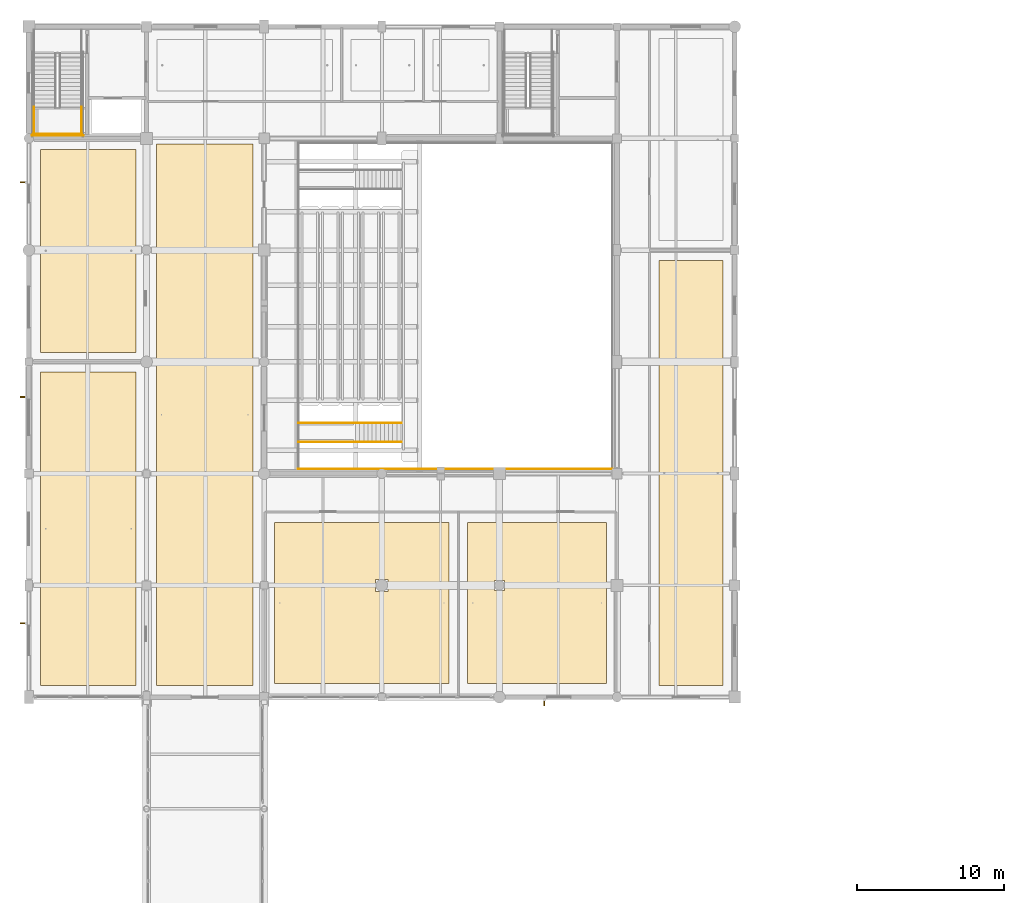
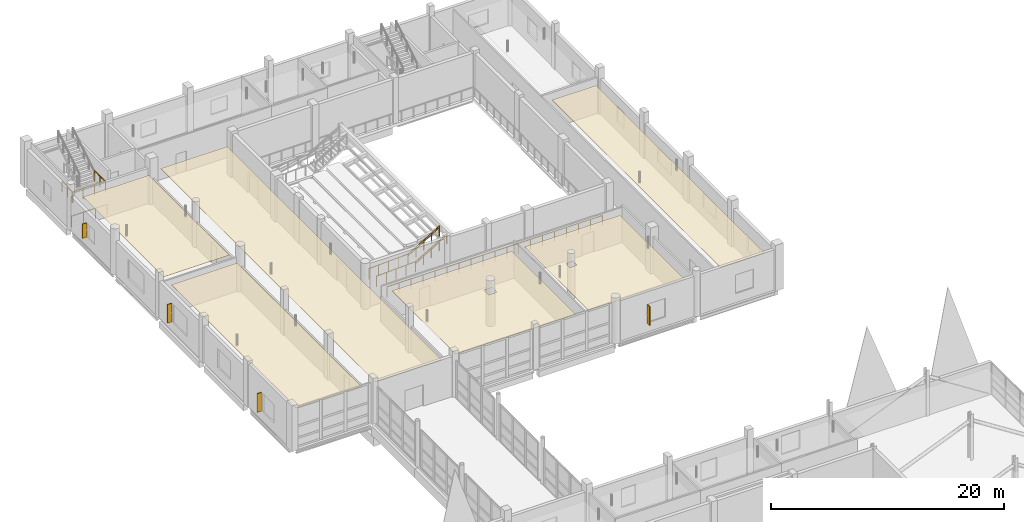
# One storey, part 137 of 147: 9 railings, 6 coverings, 4 shading devices.
"""IFC4 building model written with IfcOpenShell, lengths in metres."""

import ifcopenshell
import ifcopenshell.guid

model = None  # the IFC model being written
_history = None  # IfcOwnerHistory: only IFC2X3 demands one
_inside = {}  # id of a spatial element -> (the spatial element, [elements in it])
_under = {}  # id of a project, library or spatial element -> (it, [spatial elements below it])
_declared = {}  # id of a project -> (the project, [libraries it declares])
_typed = {}  # id of a type object -> (the type object, [elements of that type])
_made_of = {}  # id of a material, layer set ... -> (it, [elements and type objects made of it])


def new_model(schema):
    """Start an empty IFC model of exactly this schema.

    Asked for "IFC4X3", IfcOpenShell would pick the latest addendum, in which some entities
    have other attributes; the version numbers below select the first issue.
    IFC2X3 requires an IfcOwnerHistory on every rooted entity: one is made here for all.
    """
    global model, _history
    if schema == "IFC4X3":
        model = ifcopenshell.file(schema_version=(4, 3, 0, 0))
    else:
        model = ifcopenshell.file(schema=schema)
    _inside.clear()
    _under.clear()
    _declared.clear()
    _typed.clear()
    _made_of.clear()
    _history = None
    if model.schema == "IFC2X3":
        org = make("IfcOrganization", Name="unknown")
        user = make(
            "IfcPersonAndOrganization",
            ThePerson=make("IfcPerson", FamilyName="unknown"),
            TheOrganization=org,
        )
        app = make(
            "IfcApplication",
            ApplicationDeveloper=org,
            Version="unknown",
            ApplicationFullName="unknown",
            ApplicationIdentifier="unknown",
        )
        _history = make(
            "IfcOwnerHistory",
            OwningUser=user,
            OwningApplication=app,
            ChangeAction="ADDED",
            CreationDate=0,
        )
    return model


def make(cls, **values):
    """One entity of the class cls with the attributes given. An attribute that is None is left unset."""
    return model.create_entity(
        cls, **{name: value for name, value in values.items() if value is not None}
    )


def rooted(cls, **values):
    """An entity with a GlobalId (a new one), such as an element, a storey or a relation."""
    return make(cls, GlobalId=ifcopenshell.guid.new(), OwnerHistory=_history, **values)


def si_unit(unit_type, name, prefix=None):
    """IfcSIUnit, for example si_unit("LENGTHUNIT", "METRE", prefix="MILLI")."""
    return make("IfcSIUnit", UnitType=unit_type, Prefix=prefix, Name=name)


def assignment(units):
    """IfcUnitAssignment: the units of a project."""
    return None if units is None else make("IfcUnitAssignment", Units=units)


def point(xyz):
    """IfcCartesianPoint."""
    return None if xyz is None else make("IfcCartesianPoint", Coordinates=xyz)


def direction(xyz):
    """IfcDirection."""
    return None if xyz is None else make("IfcDirection", DirectionRatios=xyz)


def frame(location, z_axis=None, x_axis=None):
    """IfcAxis2Placement3D, a coordinate frame: its origin and axes. An axis left out is left unset."""
    return make(
        "IfcAxis2Placement3D",
        Location=point(location),
        Axis=direction(z_axis),
        RefDirection=direction(x_axis),
    )


def frame_2d(location, x_axis=None):
    """IfcAxis2Placement2D, a coordinate frame in the plane: its origin and x axis."""
    return make(
        "IfcAxis2Placement2D", Location=point(location), RefDirection=direction(x_axis)
    )


def origin():
    """The frame at (0, 0, 0) with its axes left unset."""
    return frame((0.0, 0.0, 0.0))


def origin_2d():
    """The frame at (0, 0) in the plane with its x axis left unset."""
    return frame_2d((0.0, 0.0))


def place(relative_to, where):
    """IfcLocalPlacement: puts the frame where relative to a parent placement (None: the world)."""
    return make(
        "IfcLocalPlacement", PlacementRelTo=relative_to, RelativePlacement=where
    )


def context(
    kind, dimensions, precision=None, world=None, true_north=None, identifier=None
):
    """IfcGeometricRepresentationContext, for example the 3D "Model" context."""
    return make(
        "IfcGeometricRepresentationContext",
        ContextIdentifier=identifier,
        ContextType=kind,
        CoordinateSpaceDimension=dimensions,
        Precision=precision,
        WorldCoordinateSystem=world,
        TrueNorth=true_north,
    )


def subcontext(parent, identifier, kind, view, scale=None):
    """IfcGeometricRepresentationSubContext, for example "Body" below "Model"."""
    return make(
        "IfcGeometricRepresentationSubContext",
        ContextIdentifier=identifier,
        ContextType=kind,
        ParentContext=parent,
        TargetScale=scale,
        TargetView=view,
    )


def project(units=None, contexts=None):
    """IfcProject with its units and contexts."""
    return rooted(
        "IfcProject",
        Name="project",
        RepresentationContexts=contexts,
        UnitsInContext=assignment(units),
    )


def spatial(cls, under=None, at=None, **own):
    """A site, building, storey or space (cls), placed at a placement, below another one or the project."""
    s = rooted(cls, ObjectPlacement=at, **own)
    if under is not None:
        _under.setdefault(under.id(), (under, []))[1].append(s)
    return s


def polyline(points):
    """IfcPolyline through the points."""
    return make("IfcPolyline", Points=[point(p) for p in points])


def profile(cls, at=None, kind="AREA", **sizes):
    """A parametric profile (cls). Its sizes go by their IFC names, for example OverallWidth=200.0."""
    return make(cls, ProfileType=kind, Position=at, **sizes)


def rectangle(**sizes):
    """IfcRectangleProfileDef."""
    return profile("IfcRectangleProfileDef", **sizes)


def circle(**sizes):
    """IfcCircleProfileDef."""
    return profile("IfcCircleProfileDef", **sizes)


def outline(outer, holes=None, kind="AREA"):
    """IfcArbitraryClosedProfileDef: a profile drawn as a closed curve; with holes, ...WithVoids."""
    if holes is None:
        return make("IfcArbitraryClosedProfileDef", ProfileType=kind, OuterCurve=outer)
    return make(
        "IfcArbitraryProfileDefWithVoids",
        ProfileType=kind,
        OuterCurve=outer,
        InnerCurves=holes,
    )


def extrude(swept, where, along, depth):
    """IfcExtrudedAreaSolid: the profile swept, set in the frame where, extruded along a direction by depth."""
    return make(
        "IfcExtrudedAreaSolid",
        SweptArea=swept,
        Position=where,
        ExtrudedDirection=direction(along),
        Depth=depth,
    )


def shape(context_of_items, identifier, shape_type, items):
    """IfcShapeRepresentation: the items that make up one representation, for example the "Body"."""
    return make(
        "IfcShapeRepresentation",
        ContextOfItems=context_of_items,
        RepresentationIdentifier=identifier,
        RepresentationType=shape_type,
        Items=items,
    )


def material(Name=None, Category=None):
    """IfcMaterial."""
    return make("IfcMaterial", Name=Name, Category=Category)


def layer(
    of_material, thickness, ventilated=None, Name=None, Category=None, Priority=None
):
    """IfcMaterialLayer: one layer of a wall or slab, of a material (None: an air gap)."""
    return make(
        "IfcMaterialLayer",
        Material=of_material,
        LayerThickness=thickness,
        IsVentilated=ventilated,
        Name=Name,
        Category=Category,
        Priority=Priority,
    )


def layer_set(layers, Name=None):
    """IfcMaterialLayerSet."""
    return make("IfcMaterialLayerSet", MaterialLayers=layers, LayerSetName=Name)


def made_of(thing, what):
    """Note that an element or type object is made of a material, layer set ...; save() writes the relation."""
    if what is not None:
        _made_of.setdefault(what.id(), (what, []))[1].append(thing)
    return thing


def type_object(cls, material=None, **own):
    """A type object (cls), such as IfcWallType, which elements share."""
    return made_of(rooted(cls, **own), material)


def element(
    cls,
    number,
    at=None,
    inside=None,
    cuts=None,
    type_object=None,
    material=None,
    context=None,
    identifier="Body",
    shape_type=None,
    held_by="IfcProductDefinitionShape",
    body=None,
    shapes=None,
    **own,
):
    """One element of the class cls, such as IfcWall. Its Tag is "e" and its number.

    at: its placement. inside: the storey or other place that contains it. cuts: it is an
    opening in that element (IfcRelVoidsElement). A single representation is given by context,
    identifier, shape_type and body (its items); several are given by shapes. held_by: the class
    of the entity that holds the representations. save() writes the other relations.
    """
    e = rooted(cls, Tag="e%d" % number, ObjectPlacement=at, **own)
    if body is not None:
        shapes = [shape(context, identifier, shape_type, body)]
    if shapes is not None:
        e.Representation = make(held_by, Representations=shapes)
    if inside is not None:
        _inside.setdefault(inside.id(), (inside, []))[1].append(e)
    if cuts is not None:
        rooted(
            "IfcRelVoidsElement", RelatingBuildingElement=cuts, RelatedOpeningElement=e
        )
    if type_object is not None:
        _typed.setdefault(type_object.id(), (type_object, []))[1].append(e)
    return made_of(e, material)


def aggregate(whole, parts):
    """IfcRelAggregates: a whole, such as a stair, and the parts it consists of."""
    return rooted("IfcRelAggregates", RelatingObject=whole, RelatedObjects=parts)


def save(model, path):
    """Write the relations noted so far, then the file.

    IfcRelAggregates (storeys below a building ...), IfcRelContainedInSpatialStructure (elements
    in a storey), IfcRelDefinesByType, IfcRelAssociatesMaterial and IfcRelDeclares: one each for
    every whole, place, type object, material and project.
    """
    for whole, parts in _under.values():
        aggregate(whole, parts)
    for where, things in _inside.values():
        rooted(
            "IfcRelContainedInSpatialStructure",
            RelatedElements=things,
            RelatingStructure=where,
        )
    for kind, things in _typed.values():
        rooted("IfcRelDefinesByType", RelatedObjects=things, RelatingType=kind)
    for what, things in _made_of.values():
        rooted("IfcRelAssociatesMaterial", RelatedObjects=things, RelatingMaterial=what)
    for by, libraries in _declared.values():
        rooted("IfcRelDeclares", RelatingContext=by, RelatedDefinitions=libraries)
    model.write(path)


model = new_model("IFC4")

# Units and contexts
model_context = context("Model", 3, precision=1e-05, world=origin(), true_north=direction((0.0, 1.0)))
body_context = subcontext(model_context, "Body", "Model", "MODEL_VIEW")
ifc_project = project(units=[si_unit("LENGTHUNIT", "METRE"), si_unit("AREAUNIT", "SQUARE_METRE"), si_unit("VOLUMEUNIT", "CUBIC_METRE"), si_unit("PLANEANGLEUNIT", "RADIAN"), si_unit("MASSUNIT", "GRAM", prefix="KILO")], contexts=[model_context])

# Site, building, storey
site_placement = place(None, origin())
site = spatial("IfcSite", under=ifc_project, at=site_placement, CompositionType="ELEMENT")
building_placement = place(site_placement, origin())
building = spatial("IfcBuilding", under=site, at=building_placement, Name="Khelvaren Railside Concert Hall", CompositionType="ELEMENT")
storey_placement = place(building_placement, frame((0.0, 0.0, 5.39990234375)))
storey = spatial("IfcBuildingStorey", under=building, at=storey_placement, Name="L01", CompositionType="ELEMENT", Elevation=5.39990234375)

# Coverings
ifc_material_1 = material(Name="Mineral-wool acoustic baffle ceiling", Category="gypsum")
ifc_layer_1 = layer(ifc_material_1, 0.0400390625)
ifc_layer_set_1 = layer_set([ifc_layer_1], Name="Mineral-wool acoustic baffle ceiling")
covering_type_1 = type_object("IfcCoveringType", Name="CLG20", PredefinedType="CEILING", material=ifc_layer_set_1)
covering_1_placement = place(storey_placement, frame((0.0, 0.0, 3.41015625)))
element("IfcCovering", 1, at=covering_1_placement, inside=storey, type_object=covering_type_1, Name="Suspended Acoustic Ceiling Chamber Pavilion L01 West Foyer", PredefinedType="CEILING", context=body_context, shape_type="SweptSolid", body=[
    extrude(outline(polyline([(8.669921875, 69.199951171875), (15.25, 69.199951171875), (15.25, 106.0), (8.669921875, 106.0), (8.669921875, 69.199951171875)])), origin(), (0.0, 0.0, 1.0), 0.0400390625),
])
covering_2_placement = place(storey_placement, frame((0.0, 0.0, 3.41015625)))
element("IfcCovering", 2, at=covering_2_placement, inside=storey, type_object=covering_type_1, Name="Suspended Acoustic Ceiling String Quartet Practice Room L01", PredefinedType="CEILING", context=body_context, shape_type="SweptSolid", body=[
    extrude(outline(polyline([(0.800048828125, 69.199951171875), (7.300048828125, 69.199951171875), (7.300048828125, 90.5), (0.800048828125, 90.5), (0.800048828125, 69.199951171875)])), origin(), (0.0, 0.0, 1.0), 0.0400390625),
])
covering_3_placement = place(storey_placement, frame((0.0, 0.0, 3.41015625)))
element("IfcCovering", 3, at=covering_3_placement, inside=storey, type_object=covering_type_1, Name="Suspended Acoustic Ceiling Harpsichord and Fortepiano Room L01", PredefinedType="CEILING", context=body_context, shape_type="SweptSolid", body=[
    extrude(outline(polyline([(42.85009765625, 69.199951171875), (47.199951171875, 69.199951171875), (47.199951171875, 98.10009765625), (42.85009765625, 98.10009765625), (42.85009765625, 69.199951171875)])), origin(), (0.0, 0.0, 1.0), 0.0400390625),
])
covering_4_placement = place(storey_placement, frame((0.0, 0.0, 3.41015625)))
element("IfcCovering", 4, at=covering_4_placement, inside=storey, type_object=covering_type_1, Name="Suspended Acoustic Ceiling Chamber Circle Overlook Salon", PredefinedType="CEILING", context=body_context, shape_type="SweptSolid", body=[
    extrude(outline(polyline([(16.7099609375, 69.330078125), (28.58203125, 69.330078125), (28.58203125, 80.27001953125), (16.7099609375, 80.27001953125), (16.7099609375, 69.330078125)]), holes=[polyline([(23.5849609375, 75.5849609375), (24.4150390625, 75.5849609375), (24.4150390625, 76.4150390625), (23.5849609375, 76.4150390625), (23.5849609375, 75.5849609375)])]), origin(), (0.0, 0.0, 1.0), 0.0400390625),
])
ifc_material_2 = material(Name="Micro-perforated timber acoustic ceiling", Category="wood")
ifc_layer_2 = layer(ifc_material_2, 0.030029296875)
ifc_layer_set_2 = layer_set([ifc_layer_2], Name="Micro-perforated timber acoustic ceiling")
covering_type_2 = type_object("IfcCoveringType", Name="CLG77", PredefinedType="CEILING", material=ifc_layer_set_2)
covering_5_placement = place(storey_placement, frame((0.0, 0.0, 3.420166015625)))
element("IfcCovering", 5, at=covering_5_placement, inside=storey, type_object=covering_type_2, Name="Suspended Acoustic Ceiling Lute and Viol Tuning Studio L01", PredefinedType="CEILING", context=body_context, shape_type="SweptSolid", body=[
    extrude(outline(polyline([(0.800048828125, 91.85009765625), (7.300048828125, 91.85009765625), (7.300048828125, 105.64990234375), (0.800048828125, 105.64990234375), (0.800048828125, 91.85009765625)])), origin(), (0.0, 0.0, 1.0), 0.030029296875),
])
covering_6_placement = place(storey_placement, frame((0.0, 0.0, 3.420166015625)))
element("IfcCovering", 6, at=covering_6_placement, inside=storey, type_object=covering_type_2, Name="Suspended Acoustic Ceiling Contemporary Music Listening Room", PredefinedType="CEILING", context=body_context, shape_type="SweptSolid", body=[
    extrude(outline(polyline([(29.842041015625, 69.330078125), (39.2900390625, 69.330078125), (39.2900390625, 80.27001953125), (29.842041015625, 80.27001953125), (29.842041015625, 69.330078125)]), holes=[polyline([(31.659912109375, 75.659912109375), (32.340087890625, 75.659912109375), (32.340087890625, 76.340087890625), (31.659912109375, 76.340087890625), (31.659912109375, 75.659912109375)])]), origin(), (0.0, 0.0, 1.0), 0.030029296875),
])

# Railings
ifc_material_3 = material(Name="Painted architectural steel", Category="steel")
railing_type_1 = type_object("IfcRailingType", Name="GRD86", PredefinedType="GUARDRAIL", material=ifc_material_3)
for number, where, name in (
    (7, (0.35009765625, 108.52001953125, 2.400146484375), "L01 ST-07 stair guard 3"),
    (8, (3.570068359375, 108.52001953125, 2.400146484375), "L01 ST-07 stair guard 4"),
):
    element("IfcRailing", number, at=place(storey_placement, frame(where)), inside=storey, type_object=railing_type_1, Name=name, PredefinedType="GUARDRAIL", context=body_context, shape_type="SweptSolid", body=[
        extrude(circle(Radius=0.02392578125, at=origin_2d()), frame((0.0, 0.0, 1.076171875), z_axis=(0.0, -1.0, 0.0), x_axis=(1.0, 0.0, 0.0)), (0.0, 0.0, 1.0), 1.880126953125),
        extrude(circle(Radius=0.02099609375, at=origin_2d()), origin(), (0.0, 0.0, 1.0), 1.052001953125),
        extrude(circle(Radius=0.02099609375, at=origin_2d()), frame((0.0, -0.93994140625, 0.0)), (0.0, 0.0, 1.0), 1.052001953125),
        extrude(circle(Radius=0.02099609375, at=origin_2d()), frame((0.0, -1.880126953125, 0.0)), (0.0, 0.0, 1.0), 1.052001953125),
    ])
railing_1_placement = place(storey_placement, frame((0.300048828125, 106.68994140625, 2.400146484375)))
element("IfcRailing", 9, at=railing_1_placement, inside=storey, type_object=railing_type_1, Name="L01 ST-07 stair guard 5", PredefinedType="GUARDRAIL", context=body_context, shape_type="SweptSolid", body=[
    extrude(circle(Radius=0.02392578125, at=origin_2d()), frame((0.0, 0.0, 1.076171875), z_axis=(1.0, 0.0, 0.0), x_axis=(0.0, 1.0, 0.0)), (0.0, 0.0, 1.0), 3.320068359375),
    extrude(circle(Radius=0.02099609375, at=origin_2d()), origin(), (0.0, 0.0, 1.0), 1.052001953125),
    extrude(circle(Radius=0.02099609375, at=origin_2d()), frame((1.106689453125, 0.0, 0.0)), (0.0, 0.0, 1.0), 1.052001953125),
    extrude(circle(Radius=0.02099609375, at=origin_2d()), frame((2.21337890625, 0.0, 0.0)), (0.0, 0.0, 1.0), 1.052001953125),
    extrude(circle(Radius=0.02099609375, at=origin_2d()), frame((3.320068359375, 0.0, 0.0)), (0.0, 0.0, 1.0), 1.052001953125),
])
railing_2_placement = place(storey_placement, frame((0.199951171875, 106.590087890625, 0.0)))
element("IfcRailing", 10, at=railing_2_placement, inside=storey, type_object=railing_type_1, Name="L01 ST-07 stair guard 12", PredefinedType="GUARDRAIL", context=body_context, shape_type="SweptSolid", body=[
    extrude(circle(Radius=0.02392578125, at=origin_2d()), frame((0.0, 0.0, 1.076171875), z_axis=(1.0, 0.0, 0.0), x_axis=(0.0, 1.0, 0.0)), (0.0, 0.0, 1.0), 3.52001953125),
    extrude(circle(Radius=0.02099609375, at=origin_2d()), origin(), (0.0, 0.0, 1.0), 1.052001953125),
    extrude(circle(Radius=0.02099609375, at=origin_2d()), frame((1.17333984375, 0.0, 0.0)), (0.0, 0.0, 1.0), 1.052001953125),
    extrude(circle(Radius=0.02099609375, at=origin_2d()), frame((2.3466796875, 0.0, 0.0)), (0.0, 0.0, 1.0), 1.052001953125),
    extrude(circle(Radius=0.02099609375, at=origin_2d()), frame((3.52001953125, 0.0, 0.0)), (0.0, 0.0, 1.0), 1.052001953125),
])
for number, where, name in (
    (11, (18.35009765625, 85.75, 0.0), "Vomitory Guardrail ST-25-L"),
    (12, (18.35009765625, 87.050048828125, 0.0), "Vomitory Guardrail ST-25-R"),
):
    element("IfcRailing", number, at=place(storey_placement, frame(where)), inside=storey, type_object=railing_type_1, Name=name, PredefinedType="GUARDRAIL", context=body_context, shape_type="SweptSolid", body=[
        extrude(circle(Radius=0.02392578125, at=origin_2d()), frame((0.0, 0.0, 1.076171875), z_axis=(0.99903463179, 0.0, 0.043929539989), x_axis=(0.0, 1.0, 0.0)), (0.0, 0.0, 1.0), 3.87353515625),
        extrude(circle(Radius=0.02392578125, at=origin_2d()), frame((3.869873046875, 0.0, 1.24609375), z_axis=(0.858483901645, 0.0, 0.512840511871), x_axis=(0.0, 1.0, 0.0)), (0.0, 0.0, 1.0), 3.64599609375),
        extrude(circle(Radius=0.02099609375, at=origin_2d()), origin(), (0.0, 0.0, 1.0), 1.052001953125),
        extrude(circle(Radius=0.02099609375, at=origin_2d()), frame((0.967529296875, 0.0, 0.04248046875)), (0.0, 0.0, 1.0), 1.052001953125),
        extrude(circle(Radius=0.02099609375, at=origin_2d()), frame((1.93505859375, 0.0, 0.0849609375)), (0.0, 0.0, 1.0), 1.052001953125),
        extrude(circle(Radius=0.02099609375, at=origin_2d()), frame((2.90234375, 0.0, 0.127685546875)), (0.0, 0.0, 1.0), 1.052001953125),
        extrude(circle(Radius=0.02099609375, at=origin_2d()), frame((3.869873046875, 0.0, 0.170166015625)), (0.0, 0.0, 1.0), 1.052001953125),
        extrude(circle(Radius=0.02099609375, at=origin_2d()), frame((4.65234375, 0.0, 0.6376953125)), (0.0, 0.0, 1.0), 1.052001953125),
        extrude(circle(Radius=0.02099609375, at=origin_2d()), frame((5.43505859375, 0.0, 1.10498046875)), (0.0, 0.0, 1.0), 1.052001953125),
        extrude(circle(Radius=0.02099609375, at=origin_2d()), frame((6.217529296875, 0.0, 1.572509765625)), (0.0, 0.0, 1.0), 1.052001953125),
        extrude(circle(Radius=0.02099609375, at=origin_2d()), frame((7.0, 0.0, 2.0400390625)), (0.0, 0.0, 1.0), 1.052001953125),
    ])
ifc_material_4 = material(Name="Acoustic bronze and laminated glass guardrail", Category="glass")
railing_type_2 = type_object("IfcRailingType", Name="GRD91", PredefinedType="GUARDRAIL", material=ifc_material_4)
railing_3_placement = place(storey_placement, frame((18.320068359375, 83.919921875, 0.0)))
element("IfcRailing", 13, at=railing_3_placement, inside=storey, type_object=railing_type_2, Name="V4 L01 Acoustic Bowl Edge Guardrail S", PredefinedType="GUARDRAIL", context=body_context, shape_type="SweptSolid", body=[
    extrude(circle(Radius=0.02392578125, at=origin_2d()), frame((0.0, 0.0, 1.076171875), z_axis=(1.0, 0.0, 0.0), x_axis=(0.0, 1.0, 0.0)), (0.0, 0.0, 1.0), 21.35986328125),
    extrude(circle(Radius=0.02099609375, at=origin_2d()), origin(), (0.0, 0.0, 1.0), 1.052001953125),
    extrude(circle(Radius=0.02099609375, at=origin_2d()), frame((1.186767578125, 0.0, 0.0)), (0.0, 0.0, 1.0), 1.052001953125),
    extrude(circle(Radius=0.02099609375, at=origin_2d()), frame((2.373291015625, 0.0, 0.0)), (0.0, 0.0, 1.0), 1.052001953125),
    extrude(circle(Radius=0.02099609375, at=origin_2d()), frame((3.56005859375, 0.0, 0.0)), (0.0, 0.0, 1.0), 1.052001953125),
    extrude(circle(Radius=0.02099609375, at=origin_2d()), frame((4.74658203125, 0.0, 0.0)), (0.0, 0.0, 1.0), 1.052001953125),
    extrude(circle(Radius=0.02099609375, at=origin_2d()), frame((5.933349609375, 0.0, 0.0)), (0.0, 0.0, 1.0), 1.052001953125),
    extrude(circle(Radius=0.02099609375, at=origin_2d()), frame((7.119873046875, 0.0, 0.0)), (0.0, 0.0, 1.0), 1.052001953125),
    extrude(circle(Radius=0.02099609375, at=origin_2d()), frame((8.306640625, 0.0, 0.0)), (0.0, 0.0, 1.0), 1.052001953125),
    extrude(circle(Radius=0.02099609375, at=origin_2d()), frame((9.4931640625, 0.0, 0.0)), (0.0, 0.0, 1.0), 1.052001953125),
    extrude(circle(Radius=0.02099609375, at=origin_2d()), frame((10.679931640625, 0.0, 0.0)), (0.0, 0.0, 1.0), 1.052001953125),
    extrude(circle(Radius=0.02099609375, at=origin_2d()), frame((11.86669921875, 0.0, 0.0)), (0.0, 0.0, 1.0), 1.052001953125),
    extrude(circle(Radius=0.02099609375, at=origin_2d()), frame((13.05322265625, 0.0, 0.0)), (0.0, 0.0, 1.0), 1.052001953125),
    extrude(circle(Radius=0.02099609375, at=origin_2d()), frame((14.239990234375, 0.0, 0.0)), (0.0, 0.0, 1.0), 1.052001953125),
    extrude(circle(Radius=0.02099609375, at=origin_2d()), frame((15.426513671875, 0.0, 0.0)), (0.0, 0.0, 1.0), 1.052001953125),
    extrude(circle(Radius=0.02099609375, at=origin_2d()), frame((16.61328125, 0.0, 0.0)), (0.0, 0.0, 1.0), 1.052001953125),
    extrude(circle(Radius=0.02099609375, at=origin_2d()), frame((17.7998046875, 0.0, 0.0)), (0.0, 0.0, 1.0), 1.052001953125),
    extrude(circle(Radius=0.02099609375, at=origin_2d()), frame((18.986572265625, 0.0, 0.0)), (0.0, 0.0, 1.0), 1.052001953125),
    extrude(circle(Radius=0.02099609375, at=origin_2d()), frame((20.173095703125, 0.0, 0.0)), (0.0, 0.0, 1.0), 1.052001953125),
    extrude(circle(Radius=0.02099609375, at=origin_2d()), frame((21.35986328125, 0.0, 0.0)), (0.0, 0.0, 1.0), 1.052001953125),
])
ifc_material_5 = material(Name="Brushed stainless steel Grade 316", Category="steel")
railing_type_3 = type_object("IfcRailingType", Name="HRL59", PredefinedType="HANDRAIL", material=ifc_material_5)
for number, where, name in (
    (14, (22.219970703125, 85.75, 0.170166015625), "Vomitory Pitch Handrail ST-25-L"),
    (15, (22.219970703125, 87.050048828125, 0.170166015625), "Vomitory Pitch Handrail ST-25-R"),
):
    element("IfcRailing", number, at=place(storey_placement, frame(where)), inside=storey, type_object=railing_type_3, Name=name, PredefinedType="HANDRAIL", context=body_context, shape_type="SweptSolid", body=[
        extrude(circle(Radius=0.02392578125, at=origin_2d()), frame((0.0, 0.0, 0.8759765625), z_axis=(0.854808984221, 0.0, 0.518942771889), x_axis=(0.0, 1.0, 0.0)), (0.0, 0.0, 1.0), 3.603271484375),
        extrude(circle(Radius=0.02099609375, at=origin_2d()), origin(), (0.0, 0.0, 1.0), 0.851806640625),
        extrude(circle(Radius=0.02099609375, at=origin_2d()), frame((0.77001953125, 0.0, 0.467529296875)), (0.0, 0.0, 1.0), 0.851806640625),
        extrude(circle(Radius=0.02099609375, at=origin_2d()), frame((1.5400390625, 0.0, 0.93505859375)), (0.0, 0.0, 1.0), 0.851806640625),
        extrude(circle(Radius=0.02099609375, at=origin_2d()), frame((2.31005859375, 0.0, 1.40234375)), (0.0, 0.0, 1.0), 0.851806640625),
        extrude(circle(Radius=0.02099609375, at=origin_2d()), frame((3.080078125, 0.0, 1.869873046875)), (0.0, 0.0, 1.0), 0.851806640625),
    ])

# Shading devices
ifc_material_6 = material(Name="Anodised bronze aluminium 6063-T6", Category="aluminium")
shading_device_type = type_object("IfcShadingDeviceType", Name="SFN18", PredefinedType="USERDEFINED", material=ifc_material_6)
for number, where, z_axis, x_axis, name in (
    (16, (35.0576171875, 68.02490234375, 0.9501953125), (0.0, 0.0, 1.0), (-1.0, 0.0, 0.0), "Bronze Solar Shading Fin EW-V4-L01-S-32"),
    (17, (-0.375, 73.41748046875, 0.9501953125), (0.0, 0.0, 1.0), (0.0, 1.0, 0.0), "Bronze Solar Shading Fin EW-V4-L01-W-68"),
    (18, (-0.375, 88.804931640625, 0.9501953125), (0.0, 0.0, 1.0), (0.0, 1.0, 0.0), "Bronze Solar Shading Fin EW-V4-L01-W-84"),
):
    element("IfcShadingDevice", number, at=place(storey_placement, frame(where, z_axis=z_axis, x_axis=x_axis)), inside=storey, type_object=shading_device_type, Name=name, ObjectType="SOLAR FIN", PredefinedType="USERDEFINED", context=body_context, shape_type="SweptSolid", body=[
        extrude(rectangle(XDim=0.080078125, YDim=0.449951171875, at=origin_2d()), origin(), (0.0, 0.0, 1.0), 1.949951171875),
    ])
shading_device_placement = place(storey_placement, frame((-0.375, 103.41748046875, 0.9501953125), z_axis=(0.0, 0.0, 1.0), x_axis=(0.0, 1.0, 0.0)))
element("IfcShadingDevice", 19, at=shading_device_placement, inside=storey, type_object=shading_device_type, Name="Bronze Solar Shading Fin EW-V4-L01-W-99", ObjectType="SOLAR FIN", PredefinedType="USERDEFINED", context=body_context, shape_type="SweptSolid", body=[
    extrude(rectangle(XDim=0.080078125, YDim=0.449951171875, at=origin_2d()), origin(), (0.0, 0.0, 1.0), 1.5),
])

save(model, "model.ifc")
